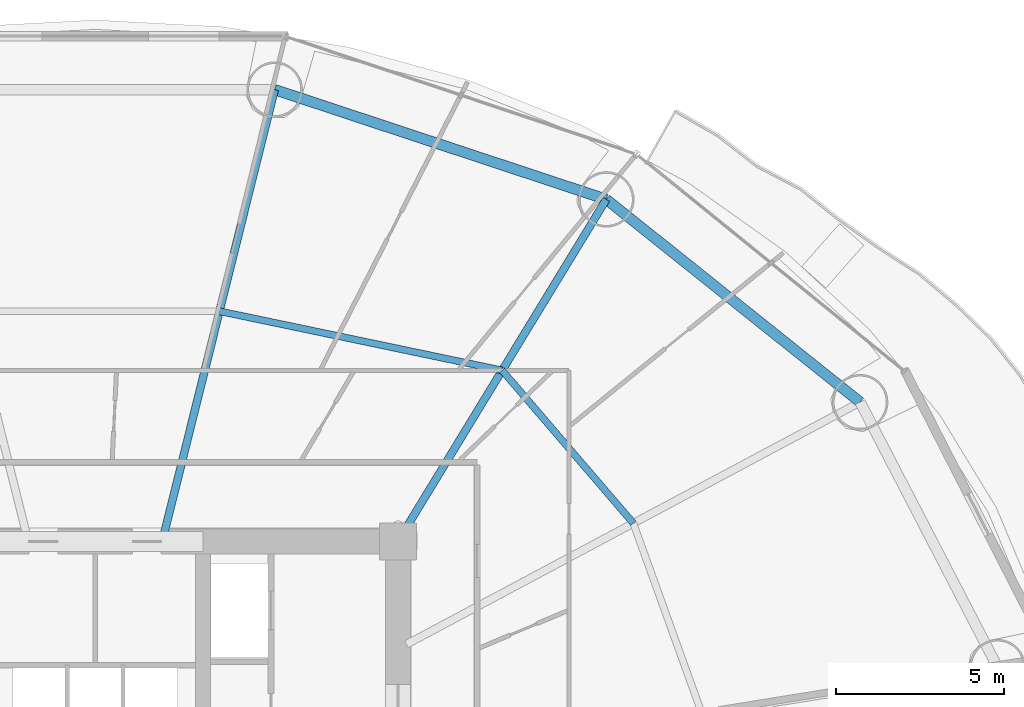
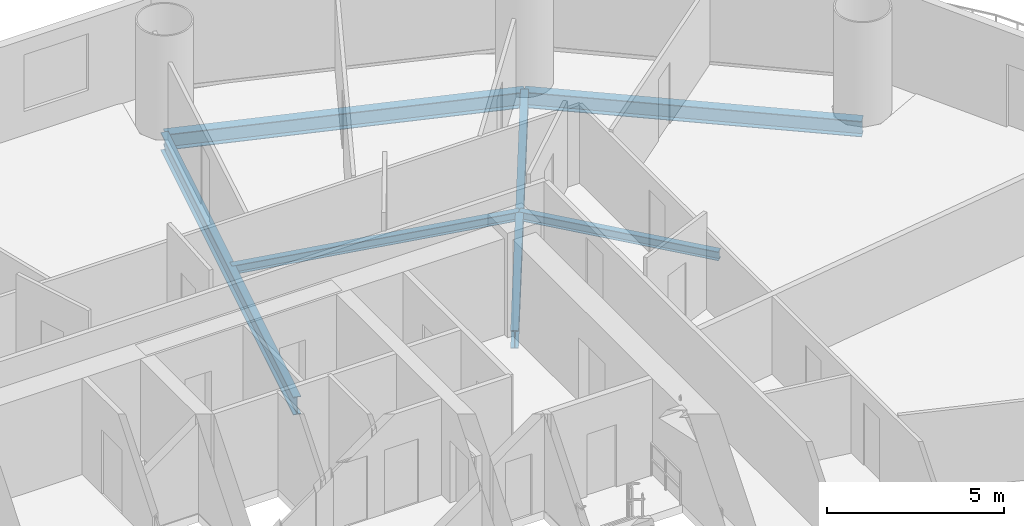
# One storey, part 17 of 28: 6 beams.
"""IFC4 building model written with IfcOpenShell, lengths in metres."""

from ifc_helpers import new_model, si_unit, direction, frame, origin, origin_2d, place, context, subcontext, project, spatial, i_section, extrude, material, material_profile, profile_set, type_object, element, save


model = new_model("IFC4")

# Units and contexts
model_context = context("Model", 3, precision=1e-05, world=origin(), true_north=direction((-0.2419218956, 0.970295726276)))
body_context = subcontext(model_context, "Body", "Model", "MODEL_VIEW")
ifc_project = project(units=[si_unit("LENGTHUNIT", "METRE"), si_unit("AREAUNIT", "SQUARE_METRE"), si_unit("VOLUMEUNIT", "CUBIC_METRE"), si_unit("PLANEANGLEUNIT", "RADIAN"), si_unit("MASSUNIT", "GRAM", prefix="KILO")], contexts=[model_context])

# Site, building, storey
site_placement = place(None, origin())
site = spatial("IfcSite", under=ifc_project, at=site_placement, CompositionType="ELEMENT")
building_placement = place(site_placement, origin())
building = spatial("IfcBuilding", under=site, at=building_placement, Name="Cobrevalo Terracotta Tower", CompositionType="ELEMENT")
storey_placement = place(building_placement, frame((0.0, 0.0, 38.39990234375)))
storey = spatial("IfcBuildingStorey", under=building, at=storey_placement, Name="L09", CompositionType="ELEMENT", Elevation=38.39990234375)

# Beams
ifc_material = material(Name="Steel S355", Category="steel")
ifc_material_profile_1 = material_profile(ifc_material, i_section(OverallWidth=0.22998046875, OverallDepth=0.616943359375, WebThickness=0.01318359375, FlangeThickness=0.022216796875, at=origin_2d()), Name="W 610x140")
ifc_profile_set_1 = profile_set([ifc_material_profile_1], Name="Steel S355")
beam_type_1 = type_object("IfcBeamType", Name="Structural Beam W 610x140 (Steel S355)", PredefinedType="BEAM", material=ifc_profile_set_1)
beam_1_placement = place(storey_placement, frame((53.19482421875, 44.967529296875, -0.58837890625), z_axis=(-0.520309892051, -0.853977526773, 0.0), x_axis=(0.853977526773, -0.520309892051, 0.0)))
element("IfcBeam", 1, at=beam_1_placement, inside=storey, type_object=beam_type_1, Name="L09 radial floor girder 03", PredefinedType="BEAM", context=body_context, shape_type="SweptSolid", body=[
    extrude(i_section(OverallWidth=0.22998046875, OverallDepth=0.616943359375, WebThickness=0.01318359375, FlangeThickness=0.022216796875, at=origin_2d()), origin(), (0.0, 0.0, 1.0), 11.906005859375),
])
beam_2_placement = place(storey_placement, frame((43.335693359375, 48.230224609375, -0.58837890625), z_axis=(-0.241596254786, -0.970376859614, 0.0), x_axis=(0.970376859614, -0.241596254786, 0.0)))
element("IfcBeam", 2, at=beam_2_placement, inside=storey, type_object=beam_type_1, Name="L09 radial floor girder 04", PredefinedType="BEAM", context=body_context, shape_type="SweptSolid", body=[
    extrude(i_section(OverallWidth=0.22998046875, OverallDepth=0.616943359375, WebThickness=0.01318359375, FlangeThickness=0.022216796875, at=origin_2d()), origin(), (0.0, 0.0, 1.0), 13.577392578125),
])
ifc_material_profile_2 = material_profile(ifc_material, i_section(OverallWidth=0.2041015625, OverallDepth=0.305908203125, WebThickness=0.008544921875, FlangeThickness=0.0146484375, at=origin_2d()), Name="W 310x67")
ifc_profile_set_2 = profile_set([ifc_material_profile_2], Name="Steel S355")
beam_type_2 = type_object("IfcBeamType", Name="Structural Joist W 310x67 (Steel S355)", PredefinedType="JOIST", material=ifc_profile_set_2)
beam_3_placement = place(storey_placement, frame((53.997802734375, 35.33984375, -0.432861328125), z_axis=(-0.651328404454, 0.758795960421, 0.0), x_axis=(-0.758795960421, -0.651328404454, 0.0)))
element("IfcBeam", 3, at=beam_3_placement, inside=storey, type_object=beam_type_2, Name="L09 circumferential secondary floor joist 02", PredefinedType="JOIST", context=body_context, shape_type="SweptSolid", body=[
    extrude(i_section(OverallWidth=0.2041015625, OverallDepth=0.305908203125, WebThickness=0.008544921875, FlangeThickness=0.0146484375, at=origin_2d()), origin(), (0.0, 0.0, 1.0), 5.98828125),
])
beam_4_placement = place(storey_placement, frame((50.097412109375, 39.8837890625, -0.432861328125), z_axis=(-0.978784523904, 0.204892302848, 0.0), x_axis=(-0.204892302848, -0.978784523904, 0.0)))
element("IfcBeam", 4, at=beam_4_placement, inside=storey, type_object=beam_type_2, Name="L09 circumferential secondary floor joist 03", PredefinedType="JOIST", context=body_context, shape_type="SweptSolid", body=[
    extrude(i_section(OverallWidth=0.2041015625, OverallDepth=0.305908203125, WebThickness=0.008544921875, FlangeThickness=0.0146484375, at=origin_2d()), origin(), (0.0, 0.0, 1.0), 8.583984375),
])
ifc_material_profile_3 = material_profile(ifc_material, i_section(OverallWidth=0.31201171875, OverallDepth=0.54296875, WebThickness=0.0126953125, FlangeThickness=0.020263671875, at=origin_2d()), Name="W 530x150")
ifc_profile_set_3 = profile_set([ifc_material_profile_3], Name="Steel S355")
beam_type_3 = type_object("IfcBeamType", Name="Structural Spandrel W 530x150 (Steel S355)", PredefinedType="SPANDREL", material=ifc_profile_set_3)
beam_5_placement = place(storey_placement, frame((60.74072265625, 38.939208984375, -0.551513671875), z_axis=(-0.781292806807, 0.62416468182, 0.0), x_axis=(-0.62416468182, -0.781292806807, 0.0)))
element("IfcBeam", 5, at=beam_5_placement, inside=storey, type_object=beam_type_3, Name="L09 perimeter ring spandrel 02", PredefinedType="SPANDREL", context=body_context, shape_type="SweptSolid", body=[
    extrude(i_section(OverallWidth=0.31201171875, OverallDepth=0.54296875, WebThickness=0.0126953125, FlangeThickness=0.020263671875, at=origin_2d()), origin(), (0.0, 0.0, 1.0), 9.658203125),
])
beam_6_placement = place(storey_placement, frame((53.19482421875, 44.967529296875, -0.551513671875), z_axis=(-0.949365190876, 0.314174687638, 0.0), x_axis=(-0.314174687638, -0.949365190876, 0.0)))
element("IfcBeam", 6, at=beam_6_placement, inside=storey, type_object=beam_type_3, Name="L09 perimeter ring spandrel 03", PredefinedType="SPANDREL", context=body_context, shape_type="SweptSolid", body=[
    extrude(i_section(OverallWidth=0.31201171875, OverallDepth=0.54296875, WebThickness=0.0126953125, FlangeThickness=0.020263671875, at=origin_2d()), origin(), (0.0, 0.0, 1.0), 10.385009765625),
])

save(model, "model.ifc")
